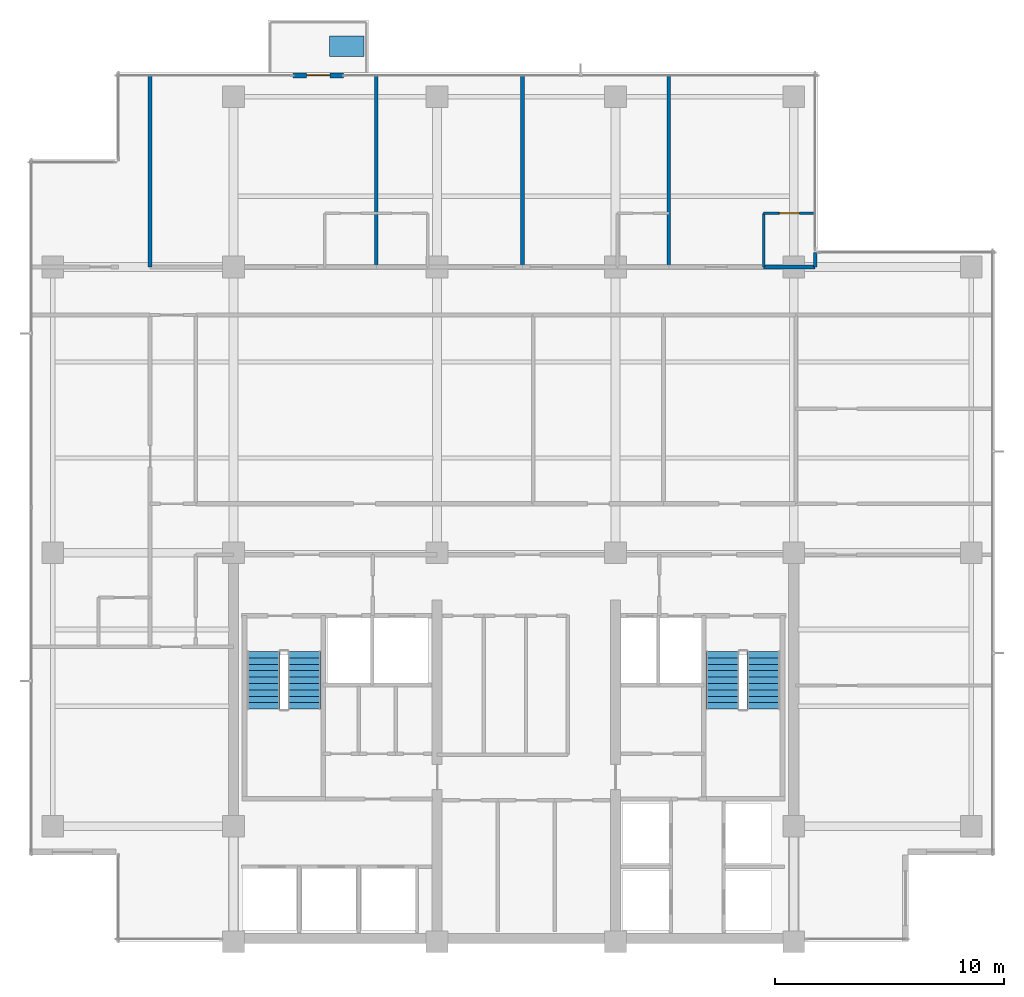
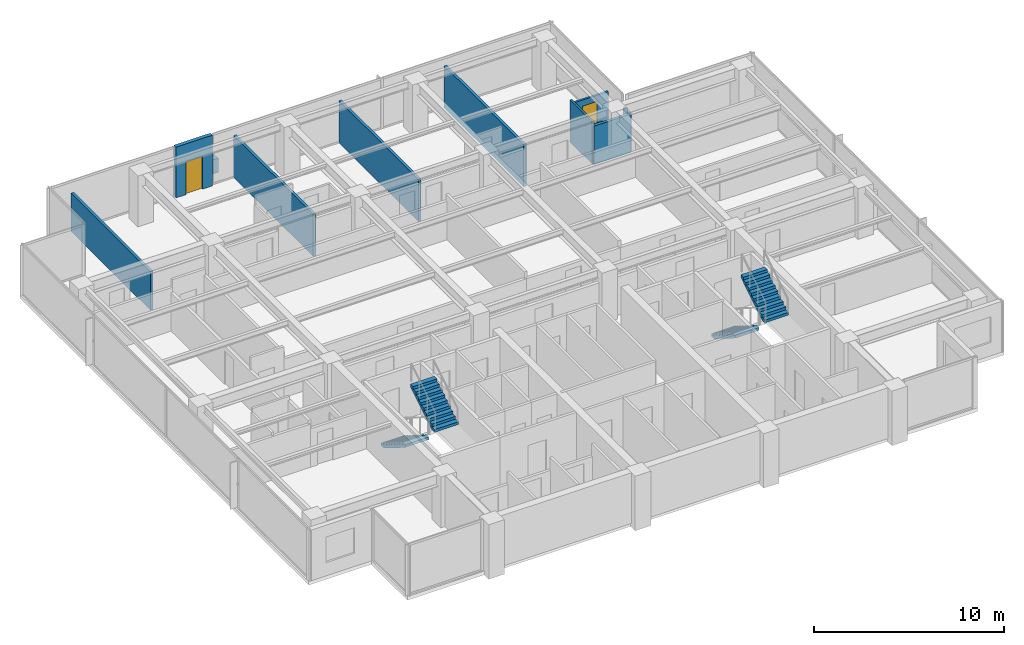
# One storey, part 10 of 14: 9 walls, 4 stair flights, 2 doors, 1 discrete accessory, 2 openings, 2 elements without a shape of their own.
"""IFC4 building model written with IfcOpenShell, lengths in metres."""

from ifc_helpers import new_model, si_unit, direction, frame, frame_2d, origin, place, context, subcontext, project, spatial, polyline, rectangle, outline, extrude, material, layer, layer_set, type_object, element, fill, aggregate, save


model = new_model("IFC4")

# Units and contexts
model_context = context("Model", 3, precision=1e-05, world=origin(), true_north=direction((0.0, 1.0)))
body_context = subcontext(model_context, "Body", "Model", "MODEL_VIEW")
ifc_project = project(units=[si_unit("LENGTHUNIT", "METRE"), si_unit("AREAUNIT", "SQUARE_METRE"), si_unit("VOLUMEUNIT", "CUBIC_METRE"), si_unit("PLANEANGLEUNIT", "RADIAN"), si_unit("MASSUNIT", "GRAM", prefix="KILO")], contexts=[model_context])

# Site, building, storey
site_placement = place(None, origin())
site = spatial("IfcSite", under=ifc_project, at=site_placement, CompositionType="ELEMENT")
building_placement = place(site_placement, origin())
building = spatial("IfcBuilding", under=site, at=building_placement, Name="Qalmaran Belvedere Hotel", CompositionType="ELEMENT")
storey_placement = place(building_placement, frame((0.0, 0.0, 228.39990234375)))
storey = spatial("IfcBuildingStorey", under=building, at=storey_placement, Name="L58", CompositionType="ELEMENT", Elevation=228.39990234375)

# Wall, opening, door
ifc_material_1 = material(Name="Anodised Bronze Cladding")
ifc_layer_1 = layer(ifc_material_1, 0.22509765625, Name="Anodised Bronze Cladding")
ifc_layer_set_1 = layer_set([ifc_layer_1], Name="Anodised Bronze Cladding")
wall_type_1 = type_object("IfcWallType", Name="WL-BAL-PORT-225", PredefinedType="SOLIDWALL", material=ifc_layer_set_1)
wall_1_placement = place(storey_placement, frame((22.89990234375, 41.3798828125, 0.0), z_axis=(0.0, 0.0, 1.0), x_axis=(1.0, 0.0, 0.0)))
wall_1 = element("IfcWall", 1, at=wall_1_placement, inside=storey, type_object=wall_type_1, Name="L58 Tree Balcony Door Portal", PredefinedType="SOLIDWALL", context=body_context, shape_type="SweptSolid", body=[
    extrude(rectangle(XDim=2.2001953125, YDim=0.22509765625, at=frame_2d((1.10009765625, 0.0))), origin(), (0.0, 0.0, 1.0), 3.260009765625),
])
opening_1_placement = place(wall_1_placement, frame((0.590087890625, 0.0, 0.0)))
opening_1 = element("IfcOpeningElement", 2, at=opening_1_placement, cuts=wall_1, Name="Opening BL-102", PredefinedType="OPENING", context=body_context, shape_type="SweptSolid", body=[
    extrude(rectangle(XDim=1.02001953125, YDim=2.10009765625, at=frame_2d((0.510009765625, 1.050048828125))), frame((0.0, 0.12255859375, 0.0), z_axis=(0.0, -1.0, 0.0), x_axis=(1.0, 0.0, 0.0)), (0.0, 0.0, 1.0), 0.2451171875),
])
ifc_material_2 = material(Name="Anodised Bronze Aluminium", Category="aluminium")
door_type_1 = type_object("IfcDoorType", Name="DR-BAL-1020X2100", OperationType="NOTDEFINED", PredefinedType="DOOR", material=ifc_material_2)
door_1_placement = place(opening_1_placement, origin())
door_1 = element("IfcDoor", 3, at=door_1_placement, inside=storey, type_object=door_type_1, Name="L58 Planted Tree Balcony Door", OperationType="SINGLE_SWING_LEFT", OverallHeight=2.10009765625, OverallWidth=1.02001953125, PredefinedType="DOOR", context=body_context, shape_type="SweptSolid", body=[
    extrude(rectangle(XDim=1.02001953125, YDim=2.10009765625, at=frame_2d((0.510009765625, 1.050048828125))), frame((0.0, 0.02490234375, 0.0), z_axis=(0.0, -1.0, 0.0), x_axis=(1.0, 0.0, 0.0)), (0.0, 0.0, 1.0), 0.050048828125),
])
fill(opening_1, door_1)

ifc_material_3 = material(Name="Moisture-Resistant Gypsum")
ifc_layer_2 = layer(ifc_material_3, 0.1201171875, Name="Moisture-Resistant Gypsum")
ifc_layer_set_2 = layer_set([ifc_layer_2], Name="Moisture-Resistant Gypsum")
wall_type_2 = type_object("IfcWallType", Name="WL-INT-120-BATH", PredefinedType="PARTITIONING", material=ifc_layer_set_2)
wall_2_placement = place(storey_placement, frame((43.47998046875, 35.35009765625, 0.0), z_axis=(0.0, 0.0, 1.0), x_axis=(1.0, 0.0, 0.0)))
wall_2 = element("IfcWall", 4, at=wall_2_placement, inside=storey, type_object=wall_type_2, Name="L58 Partition WL-L58-NBN03", PredefinedType="PARTITIONING", context=body_context, shape_type="SweptSolid", body=[
    extrude(rectangle(XDim=2.25, YDim=0.1201171875, at=frame_2d((1.125, 0.0))), origin(), (0.0, 0.0, 1.0), 2.47216796875),
])
opening_2_placement = place(wall_2_placement, frame((1.56494140625, 0.0, 0.0), z_axis=(0.0, 0.0, 1.0), x_axis=(-1.0, 0.0, 0.0)))
opening_2 = element("IfcOpeningElement", 5, at=opening_2_placement, cuts=wall_2, Name="Opening D-BATH", PredefinedType="OPENING", context=body_context, shape_type="SweptSolid", body=[
    extrude(rectangle(XDim=0.8798828125, YDim=2.080078125, at=frame_2d((0.43994140625, 1.0400390625))), frame((0.0, 0.070068359375, 0.0), z_axis=(0.0, -1.0, 0.0), x_axis=(1.0, 0.0, 0.0)), (0.0, 0.0, 1.0), 0.14013671875),
])
ifc_material_4 = material(Name="Engineered Oak Veneer")
door_type_2 = type_object("IfcDoorType", Name="DR-INT-BATH-880X2080", OperationType="NOTDEFINED", PredefinedType="DOOR", material=ifc_material_4)
door_2_placement = place(opening_2_placement, origin())
door_2 = element("IfcDoor", 6, at=door_2_placement, inside=storey, type_object=door_type_2, Name="L58 Ensuite Bathroom Door N04", OperationType="SINGLE_SWING_LEFT", OverallHeight=2.080078125, OverallWidth=0.8798828125, PredefinedType="DOOR", context=body_context, shape_type="SweptSolid", body=[
    extrude(rectangle(XDim=0.8798828125, YDim=2.080078125, at=frame_2d((0.43994140625, 1.0400390625))), frame((0.0, 0.02490234375, 0.0), z_axis=(0.0, -1.0, 0.0), x_axis=(1.0, 0.0, 0.0)), (0.0, 0.0, 1.0), 0.050048828125),
])
fill(opening_2, door_2)

# Walls
wall_3_placement = place(storey_placement, frame((43.47998046875, 33.0, 0.0), z_axis=(0.0, 0.0, 1.0), x_axis=(0.0, 1.0, 0.0)))
element("IfcWall", 7, at=wall_3_placement, inside=storey, type_object=wall_type_2, Name="L58 Partition WL-L58-NBS03", PredefinedType="PARTITIONING", context=body_context, shape_type="SweptSolid", body=[
    extrude(rectangle(XDim=2.35009765625, YDim=0.1201171875, at=frame_2d((1.175048828125, 0.0))), origin(), (0.0, 0.0, 1.0), 2.7060546875),
])
ifc_material_5 = material(Name="Gypsum Stud Partition")
ifc_layer_3 = layer(ifc_material_5, 0.159912109375, Name="Gypsum Stud Partition")
ifc_layer_set_3 = layer_set([ifc_layer_3], Name="Gypsum Stud Partition")
wall_type_3 = type_object("IfcWallType", Name="WL-INT-160-EI60", PredefinedType="PARTITIONING", material=ifc_layer_set_3)
wall_4_placement = place(storey_placement, frame((16.64990234375, 33.0, 0.0), z_axis=(0.0, 0.0, 1.0), x_axis=(0.0, 1.0, 0.0)))
element("IfcWall", 8, at=wall_4_placement, inside=storey, type_object=wall_type_3, Name="L58 Partition WL-L58-NUL", PredefinedType="PARTITIONING", context=body_context, shape_type="SweptSolid", body=[
    extrude(rectangle(XDim=8.3798828125, YDim=0.159912109375, at=frame_2d((4.18994140625, 0.0))), origin(), (0.0, 0.0, 1.0), 2.47216796875),
])
for number, where, z_axis, x_axis, name in (
    (9, (26.540283203125, 33.0, 0.0), (0.0, 0.0, 1.0), (0.0, 1.0, 0.0), "L58 Partition WL-L58-NUR00"),
    (10, (32.936767578125, 33.0, 0.0), (0.0, 0.0, 1.0), (0.0, 1.0, 0.0), "L58 Partition WL-L58-NUR01"),
    (11, (39.33349609375, 33.0, 0.0), (0.0, 0.0, 1.0), (0.0, 1.0, 0.0), "L58 Partition WL-L58-NUR02"),
):
    element("IfcWall", number, at=place(storey_placement, frame(where, z_axis=z_axis, x_axis=x_axis)), inside=storey, type_object=wall_type_3, Name=name, PredefinedType="PARTITIONING", context=body_context, shape_type="SweptSolid", body=[
        extrude(rectangle(XDim=8.3798828125, YDim=0.159912109375, at=frame_2d((4.18994140625, 0.0))), origin(), (0.0, 0.0, 1.0), 2.7060546875),
    ])
wall_5_placement = place(storey_placement, frame((45.72998046875, 33.0, 0.0), z_axis=(0.0, 0.0, 1.0), x_axis=(0.0, 1.0, 0.0)))
element("IfcWall", 12, at=wall_5_placement, inside=storey, type_object=wall_type_3, Name="L58 Partition WL-L58-NUR03", PredefinedType="PARTITIONING", context=body_context, shape_type="SweptSolid", body=[
    extrude(rectangle(XDim=0.6298828125, YDim=0.159912109375, at=frame_2d((0.31494140625, 0.0))), origin(), (0.0, 0.0, 1.0), 2.47216796875),
])
ifc_layer_4 = layer(ifc_material_5, 0.179931640625, Name="Gypsum Stud Partition")
ifc_layer_set_4 = layer_set([ifc_layer_4], Name="Gypsum Stud Partition")
wall_type_4 = type_object("IfcWallType", Name="WL-INT-180-EI60", PredefinedType="PARTITIONING", material=ifc_layer_set_4)
wall_6_placement = place(storey_placement, frame((43.47998046875, 33.0, 0.0), z_axis=(0.0, 0.0, 1.0), x_axis=(1.0, 0.0, 0.0)))
element("IfcWall", 13, at=wall_6_placement, inside=storey, type_object=wall_type_4, Name="L58 Partition WL-L58-NBC03", PredefinedType="PARTITIONING", context=body_context, shape_type="SweptSolid", body=[
    extrude(rectangle(XDim=2.25, YDim=0.179931640625, at=frame_2d((1.125, 0.0))), origin(), (0.0, 0.0, 1.0), 2.47216796875),
])

# Stair, stair flights
ifc_material_6 = material(Name="Concrete C40/50", Category="concrete")
stair_type_1 = type_object("IfcStairType", Name="STR-ST-1-1450-R1750", PredefinedType="HALF_TURN_STAIR", material=ifc_material_6)
stair_1_placement = place(storey_placement, origin())
stair_1 = element("IfcStair", 14, at=stair_1_placement, inside=storey, type_object=stair_type_1, Name="L58 West Core Exit Stair ST-1", PredefinedType="HALF_TURN_STAIR")
ifc_layer_5 = layer(ifc_material_6, 0.14990234375, Name="Concrete C40/50")
ifc_layer_set_5 = layer_set([ifc_layer_5], Name="Concrete C40/50")
stair_flight_type_1 = type_object("IfcStairFlightType", Name="STF-ST-1-1450-R1750", PredefinedType="STRAIGHT", material=ifc_layer_set_5)
stair_flight_1_placement = place(storey_placement, frame((21.60498046875, 16.18994140625, 0.0), z_axis=(0.0, 0.0, 1.0), x_axis=(0.0, -1.0, 0.0)))
stair_flight_1 = element("IfcStairFlight", 15, at=stair_flight_1_placement, type_object=stair_flight_type_1, Name="ST-1 flight 1", NumberOfRisers=10, NumberOfTreads=9, PredefinedType="STRAIGHT", RiserHeight=0.175, TreadLength=0.28, context=body_context, shape_type="SweptSolid", body=[
    extrude(outline(polyline([(0.0, 0.0), (0.0, 0.175048828125), (0.280029296875, 0.175048828125), (0.280029296875, 0.35009765625), (0.56005859375, 0.35009765625), (0.56005859375, 0.52490234375), (0.840087890625, 0.52490234375), (0.840087890625, 0.699951171875), (1.1201171875, 0.699951171875), (1.1201171875, 0.875), (1.39990234375, 0.875), (1.39990234375, 1.050048828125), (1.679931640625, 1.050048828125), (1.679931640625, 1.22509765625), (1.9599609375, 1.22509765625), (1.9599609375, 1.39990234375), (2.239990234375, 1.39990234375), (2.239990234375, 1.574951171875), (2.52001953125, 1.574951171875), (2.52001953125, 1.75), (2.52001953125, 1.398193359375), (0.28271484375, 0.0), (0.0, 0.0)])), frame((0.0, 0.72509765625, 0.0), z_axis=(0.0, -1.0, 0.0), x_axis=(1.0, 0.0, 0.0)), (0.0, 0.0, 1.0), 1.449951171875),
])
stair_flight_2_placement = place(storey_placement, frame((23.39501953125, 13.669921875, 1.75), z_axis=(0.0, 0.0, 1.0), x_axis=(0.0, 1.0, 0.0)))
stair_flight_2 = element("IfcStairFlight", 16, at=stair_flight_2_placement, type_object=stair_flight_type_1, Name="ST-1 flight 2", NumberOfRisers=10, NumberOfTreads=9, PredefinedType="STRAIGHT", RiserHeight=0.175, TreadLength=0.28, context=body_context, shape_type="SweptSolid", body=[
    extrude(outline(polyline([(0.0, 0.0), (0.0, 0.175048828125), (0.280029296875, 0.175048828125), (0.280029296875, 0.35009765625), (0.56005859375, 0.35009765625), (0.56005859375, 0.52490234375), (0.840087890625, 0.52490234375), (0.840087890625, 0.699951171875), (1.1201171875, 0.699951171875), (1.1201171875, 0.875), (1.39990234375, 0.875), (1.39990234375, 1.050048828125), (1.679931640625, 1.050048828125), (1.679931640625, 1.22509765625), (1.9599609375, 1.22509765625), (1.9599609375, 1.39990234375), (2.239990234375, 1.39990234375), (2.239990234375, 1.574951171875), (2.52001953125, 1.574951171875), (2.52001953125, 1.75), (2.52001953125, 1.398193359375), (0.28271484375, 0.0), (0.0, 0.0)])), frame((0.0, 0.72509765625, 0.0), z_axis=(0.0, -1.0, 0.0), x_axis=(1.0, 0.0, 0.0)), (0.0, 0.0, 1.0), 1.449951171875),
])
aggregate(stair_1, [stair_flight_1, stair_flight_2])

stair_type_2 = type_object("IfcStairType", Name="STR-ST-2-1450-R1750", PredefinedType="HALF_TURN_STAIR", material=ifc_material_6)
stair_2_placement = place(storey_placement, origin())
stair_2 = element("IfcStair", 17, at=stair_2_placement, inside=storey, type_object=stair_type_2, Name="L58 East Core Exit Stair ST-2", PredefinedType="HALF_TURN_STAIR")
ifc_layer_6 = layer(ifc_material_6, 0.14990234375, Name="Concrete C40/50")
ifc_layer_set_6 = layer_set([ifc_layer_6], Name="Concrete C40/50")
stair_flight_type_2 = type_object("IfcStairFlightType", Name="STF-ST-2-1450-R1750", PredefinedType="STRAIGHT", material=ifc_layer_set_6)
stair_flight_3_placement = place(storey_placement, frame((41.68505859375, 16.18994140625, 0.0), z_axis=(0.0, 0.0, 1.0), x_axis=(0.0, -1.0, 0.0)))
stair_flight_3 = element("IfcStairFlight", 18, at=stair_flight_3_placement, type_object=stair_flight_type_2, Name="ST-2 flight 1", NumberOfRisers=10, NumberOfTreads=9, PredefinedType="STRAIGHT", RiserHeight=0.175, TreadLength=0.28, context=body_context, shape_type="SweptSolid", body=[
    extrude(outline(polyline([(0.0, 0.0), (0.0, 0.175048828125), (0.280029296875, 0.175048828125), (0.280029296875, 0.35009765625), (0.56005859375, 0.35009765625), (0.56005859375, 0.52490234375), (0.840087890625, 0.52490234375), (0.840087890625, 0.699951171875), (1.1201171875, 0.699951171875), (1.1201171875, 0.875), (1.39990234375, 0.875), (1.39990234375, 1.050048828125), (1.679931640625, 1.050048828125), (1.679931640625, 1.22509765625), (1.9599609375, 1.22509765625), (1.9599609375, 1.39990234375), (2.239990234375, 1.39990234375), (2.239990234375, 1.574951171875), (2.52001953125, 1.574951171875), (2.52001953125, 1.75), (2.52001953125, 1.398193359375), (0.28271484375, 0.0), (0.0, 0.0)])), frame((0.0, 0.72509765625, 0.0), z_axis=(0.0, -1.0, 0.0), x_axis=(1.0, 0.0, 0.0)), (0.0, 0.0, 1.0), 1.449951171875),
])
stair_flight_4_placement = place(storey_placement, frame((43.47509765625, 13.669921875, 1.75), z_axis=(0.0, 0.0, 1.0), x_axis=(0.0, 1.0, 0.0)))
stair_flight_4 = element("IfcStairFlight", 19, at=stair_flight_4_placement, type_object=stair_flight_type_2, Name="ST-2 flight 2", NumberOfRisers=10, NumberOfTreads=9, PredefinedType="STRAIGHT", RiserHeight=0.175, TreadLength=0.28, context=body_context, shape_type="SweptSolid", body=[
    extrude(outline(polyline([(0.0, 0.0), (0.0, 0.175048828125), (0.280029296875, 0.175048828125), (0.280029296875, 0.35009765625), (0.56005859375, 0.35009765625), (0.56005859375, 0.52490234375), (0.840087890625, 0.52490234375), (0.840087890625, 0.699951171875), (1.1201171875, 0.699951171875), (1.1201171875, 0.875), (1.39990234375, 0.875), (1.39990234375, 1.050048828125), (1.679931640625, 1.050048828125), (1.679931640625, 1.22509765625), (1.9599609375, 1.22509765625), (1.9599609375, 1.39990234375), (2.239990234375, 1.39990234375), (2.239990234375, 1.574951171875), (2.52001953125, 1.574951171875), (2.52001953125, 1.75), (2.52001953125, 1.398193359375), (0.28271484375, 0.0), (0.0, 0.0)])), frame((0.0, 0.72509765625, 0.0), z_axis=(0.0, -1.0, 0.0), x_axis=(1.0, 0.0, 0.0)), (0.0, 0.0, 1.0), 1.449951171875),
])
aggregate(stair_2, [stair_flight_3, stair_flight_4])

# Discrete accessory
discrete_accessory_type = type_object("IfcDiscreteAccessoryType", Name="PLN-BAL-1500", PredefinedType="USERDEFINED", material=ifc_material_6)
discrete_accessory_placement = place(storey_placement, origin())
element("IfcDiscreteAccessory", 20, at=discrete_accessory_placement, inside=storey, type_object=discrete_accessory_type, Name="L58 Sky Tree Planter", ObjectType="PLANTER", PredefinedType="USERDEFINED", context=body_context, shape_type="SweptSolid", body=[
    extrude(outline(polyline([(24.5, 42.199951171875), (26.0, 42.199951171875), (26.0, 43.10009765625), (24.5, 43.10009765625), (24.5, 42.199951171875)])), origin(), (0.0, 0.0, 1.0), 0.900146484375),
])

save(model, "model.ifc")
